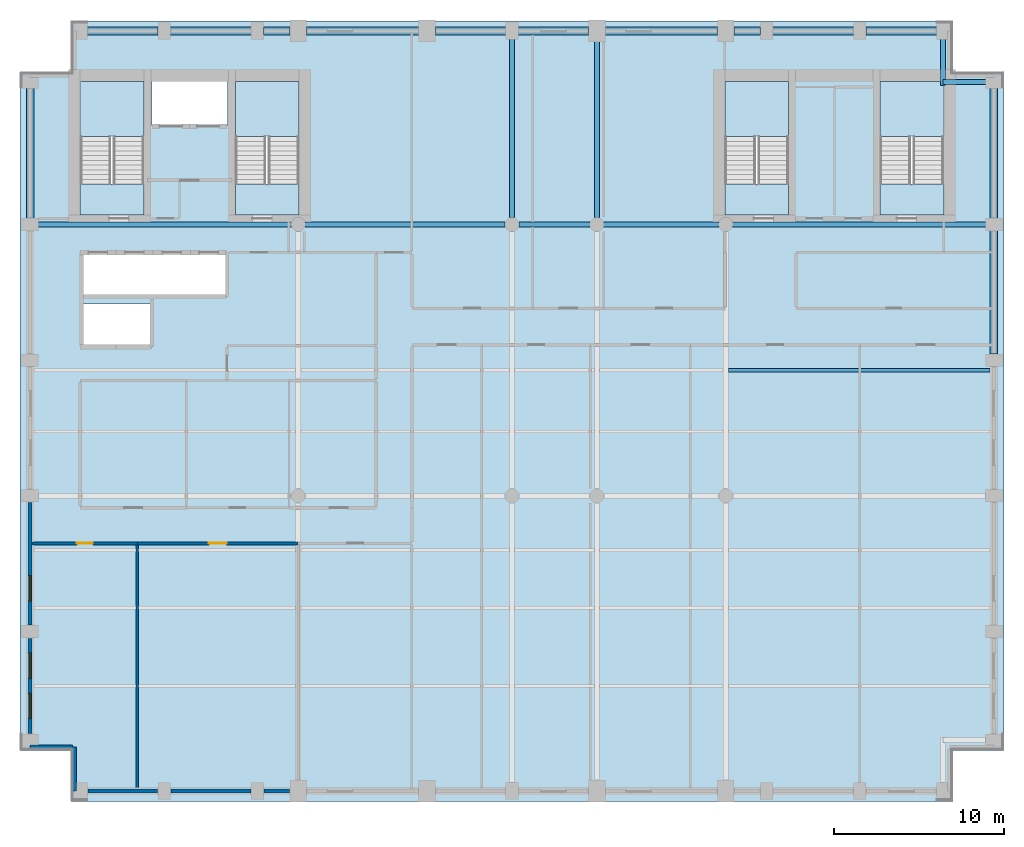
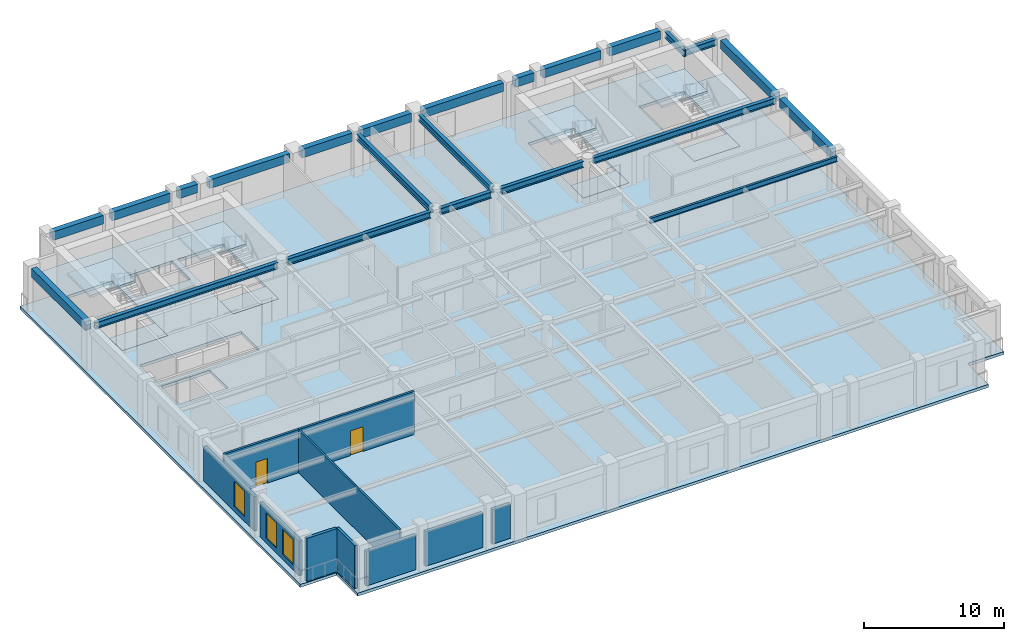
# One storey, part 2 of 9: 23 beams, 10 walls, 9 slabs, 3 windows, 2 doors, 5 openings, 4 elements without a shape of their own.
"""IFC4 building model written with IfcOpenShell, lengths in metres."""

from ifc_helpers import new_model, si_unit, direction, frame, frame_2d, origin, origin_2d, place, context, subcontext, project, spatial, polyline, rectangle, i_section, outline, extrude, material, layer, layer_set, material_profile, profile_set, type_object, element, fill, aggregate, save


model = new_model("IFC4")

# Units and contexts
model_context = context("Model", 3, precision=1e-05, world=origin(), true_north=direction((0.0, 1.0)))
body_context = subcontext(model_context, "Body", "Model", "MODEL_VIEW")
ifc_project = project(units=[si_unit("LENGTHUNIT", "METRE"), si_unit("AREAUNIT", "SQUARE_METRE"), si_unit("VOLUMEUNIT", "CUBIC_METRE"), si_unit("PLANEANGLEUNIT", "RADIAN"), si_unit("MASSUNIT", "GRAM", prefix="KILO")], contexts=[model_context])

# Site, building, storey
site_placement = place(None, origin())
site = spatial("IfcSite", under=ifc_project, at=site_placement, CompositionType="ELEMENT")
building_placement = place(site_placement, origin())
building = spatial("IfcBuilding", under=site, at=building_placement, Name="Sulina Concourse Tower", CompositionType="ELEMENT")
storey_placement = place(building_placement, frame((0.0, 0.0, 268.60009765625)))
storey = spatial("IfcBuildingStorey", under=building, at=storey_placement, Name="L65", CompositionType="ELEMENT", Elevation=268.60009765625)

# Beams
ifc_material_1 = material(Name="Steel S355", Category="steel")
ifc_material_profile_1 = material_profile(ifc_material_1, i_section(OverallWidth=0.18994140625, OverallDepth=0.449951171875, WebThickness=0.009521484375, FlangeThickness=0.0146484375, at=origin_2d()), Name="IPE 450")
ifc_profile_set_1 = profile_set([ifc_material_profile_1], Name="Steel S355")
beam_type_1 = type_object("IfcBeamType", Name="Composite Floor Joist IPE450", PredefinedType="JOIST", material=ifc_profile_set_1)
beam_1_placement = place(storey_placement, frame((41.75, 25.39990234375, 3.52490234375), z_axis=(1.0, 0.0, 0.0), x_axis=(0.0, 1.0, 0.0)))
element("IfcBeam", 1, at=beam_1_placement, inside=storey, type_object=beam_type_1, Name="FJ-J25-5-L65", PredefinedType="JOIST", context=body_context, shape_type="SweptSolid", body=[
    extrude(i_section(OverallWidth=0.18994140625, OverallDepth=0.449951171875, WebThickness=0.009521484375, FlangeThickness=0.0146484375, at=origin_2d()), origin(), (0.0, 0.0, 1.0), 15.425048828125),
])
ifc_material_2 = material(Name="Steel S355", Category="steel")
ifc_material_profile_2 = material_profile(ifc_material_2, i_section(OverallWidth=0.300048828125, OverallDepth=0.550048828125, WebThickness=0.014892578125, FlangeThickness=0.029052734375, at=origin_2d()), Name="HE 550 B")
ifc_profile_set_2 = profile_set([ifc_material_profile_2], Name="Steel S355")
beam_type_2 = type_object("IfcBeamType", Name="Floor Primary Girder Zone 4 HE550B", PredefinedType="BEAM", material=ifc_profile_set_2)
beam_2_placement = place(storey_placement, frame((54.39990234375, 42.39990234375, 3.474853515625), z_axis=(1.0, 0.0, 0.0), x_axis=(0.0, 1.0, 0.0)))
element("IfcBeam", 2, at=beam_2_placement, inside=storey, type_object=beam_type_2, Name="TIE-NE-L65", PredefinedType="BEAM", context=body_context, shape_type="SweptSolid", body=[
    extrude(i_section(OverallWidth=0.300048828125, OverallDepth=0.550048828125, WebThickness=0.014892578125, FlangeThickness=0.029052734375, at=origin_2d()), origin(), (0.0, 0.0, 1.0), 2.64501953125),
])
beam_3_placement = place(storey_placement, frame((54.39990234375, 42.199951171875, 3.474853515625), z_axis=(0.0, 1.0, 0.0), x_axis=(-1.0, 0.0, 0.0)))
element("IfcBeam", 3, at=beam_3_placement, inside=storey, type_object=beam_type_2, Name="TIE-NEN-L65", PredefinedType="BEAM", context=body_context, shape_type="SweptSolid", body=[
    extrude(i_section(OverallWidth=0.300048828125, OverallDepth=0.550048828125, WebThickness=0.014892578125, FlangeThickness=0.029052734375, at=origin_2d()), origin(), (0.0, 0.0, 1.0), 2.844970703125),
])
beam_4_placement = place(storey_placement, frame((0.955078125, 34.0, 3.474853515625), z_axis=(1.0, 0.0, 0.0), x_axis=(0.0, 1.0, 0.0)))
element("IfcBeam", 4, at=beam_4_placement, inside=storey, type_object=beam_type_2, Name="FG-EWN1-L65", PredefinedType="BEAM", context=body_context, shape_type="SweptSolid", body=[
    extrude(i_section(OverallWidth=0.300048828125, OverallDepth=0.550048828125, WebThickness=0.014892578125, FlangeThickness=0.029052734375, at=origin_2d()), origin(), (0.0, 0.0, 1.0), 15.0400390625),
])
beam_5_placement = place(storey_placement, frame((16.804931640625, 34.0, 3.474853515625), z_axis=(1.0, 0.0, 0.0), x_axis=(0.0, 1.0, 0.0)))
element("IfcBeam", 5, at=beam_5_placement, inside=storey, type_object=beam_type_2, Name="FG-EWN2-L65", PredefinedType="BEAM", context=body_context, shape_type="SweptSolid", body=[
    extrude(i_section(OverallWidth=0.300048828125, OverallDepth=0.550048828125, WebThickness=0.014892578125, FlangeThickness=0.029052734375, at=origin_2d()), origin(), (0.0, 0.0, 1.0), 11.7900390625),
])
beam_6_placement = place(storey_placement, frame((29.405029296875, 34.0, 3.474853515625), z_axis=(1.0, 0.0, 0.0), x_axis=(0.0, 1.0, 0.0)))
element("IfcBeam", 6, at=beam_6_placement, inside=storey, type_object=beam_type_2, Name="FG-EWN3-L65", PredefinedType="BEAM", context=body_context, shape_type="SweptSolid", body=[
    extrude(i_section(OverallWidth=0.300048828125, OverallDepth=0.550048828125, WebThickness=0.014892578125, FlangeThickness=0.029052734375, at=origin_2d()), origin(), (0.0, 0.0, 1.0), 4.18994140625),
])
beam_7_placement = place(storey_placement, frame((34.405029296875, 34.0, 3.474853515625), z_axis=(1.0, 0.0, 0.0), x_axis=(0.0, 1.0, 0.0)))
element("IfcBeam", 7, at=beam_7_placement, inside=storey, type_object=beam_type_2, Name="FG-EWN4-L65", PredefinedType="BEAM", context=body_context, shape_type="SweptSolid", body=[
    extrude(i_section(OverallWidth=0.300048828125, OverallDepth=0.550048828125, WebThickness=0.014892578125, FlangeThickness=0.029052734375, at=origin_2d()), origin(), (0.0, 0.0, 1.0), 6.7900390625),
])
beam_8_placement = place(storey_placement, frame((42.0048828125, 34.0, 3.474853515625), z_axis=(1.0, 0.0, 0.0), x_axis=(0.0, 1.0, 0.0)))
element("IfcBeam", 8, at=beam_8_placement, inside=storey, type_object=beam_type_2, Name="FG-EWN5-L65", PredefinedType="BEAM", context=body_context, shape_type="SweptSolid", body=[
    extrude(i_section(OverallWidth=0.300048828125, OverallDepth=0.550048828125, WebThickness=0.014892578125, FlangeThickness=0.029052734375, at=origin_2d()), origin(), (0.0, 0.0, 1.0), 15.0400390625),
])
beam_9_placement = place(storey_placement, frame((29.0, 34.405029296875, 3.474853515625), z_axis=(0.0, 1.0, 0.0), x_axis=(-1.0, 0.0, 0.0)))
element("IfcBeam", 9, at=beam_9_placement, inside=storey, type_object=beam_type_2, Name="FG-NSC-29-L65", PredefinedType="BEAM", context=body_context, shape_type="SweptSolid", body=[
    extrude(i_section(OverallWidth=0.300048828125, OverallDepth=0.550048828125, WebThickness=0.014892578125, FlangeThickness=0.029052734375, at=origin_2d()), origin(), (0.0, 0.0, 1.0), 10.639892578125),
])
beam_10_placement = place(storey_placement, frame((34.0, 34.405029296875, 3.474853515625), z_axis=(0.0, 1.0, 0.0), x_axis=(-1.0, 0.0, 0.0)))
element("IfcBeam", 10, at=beam_10_placement, inside=storey, type_object=beam_type_2, Name="FG-NSC-34-L65", PredefinedType="BEAM", context=body_context, shape_type="SweptSolid", body=[
    extrude(i_section(OverallWidth=0.300048828125, OverallDepth=0.550048828125, WebThickness=0.014892578125, FlangeThickness=0.029052734375, at=origin_2d()), origin(), (0.0, 0.0, 1.0), 10.514892578125),
])
ifc_material_3 = material(Name="Precast concrete C50/60", Category="concrete")
ifc_material_profile_3 = material_profile(ifc_material_3, rectangle(XDim=0.449951171875, YDim=0.75, at=origin_2d()), Name="RC 450x750")
ifc_profile_set_3 = profile_set([ifc_material_profile_3], Name="Precast concrete C50/60")
beam_type_3 = type_object("IfcBeamType", Name="Upper Precast Spandrel Edge Beam 450x750", PredefinedType="BEAM", material=ifc_profile_set_3)
beam_11_placement = place(storey_placement, frame((3.955078125, 45.39990234375, 3.375), z_axis=(1.0, 0.0, 0.0), x_axis=(0.0, 1.0, 0.0)))
element("IfcBeam", 11, at=beam_11_placement, inside=storey, type_object=beam_type_3, Name="SP-N1-L65", PredefinedType="BEAM", context=body_context, shape_type="SweptSolid", body=[
    extrude(rectangle(XDim=0.449951171875, YDim=0.75, at=origin_2d()), origin(), (0.0, 0.0, 1.0), 4.18994140625),
])
beam_12_placement = place(storey_placement, frame((8.85498046875, 45.39990234375, 3.375), z_axis=(1.0, 0.0, 0.0), x_axis=(0.0, 1.0, 0.0)))
element("IfcBeam", 12, at=beam_12_placement, inside=storey, type_object=beam_type_3, Name="SP-N2-L65", PredefinedType="BEAM", context=body_context, shape_type="SweptSolid", body=[
    extrude(rectangle(XDim=0.449951171875, YDim=0.75, at=origin_2d()), origin(), (0.0, 0.0, 1.0), 4.7900390625),
])
beam_13_placement = place(storey_placement, frame((14.35498046875, 45.39990234375, 3.375), z_axis=(1.0, 0.0, 0.0), x_axis=(0.0, 1.0, 0.0)))
element("IfcBeam", 13, at=beam_13_placement, inside=storey, type_object=beam_type_3, Name="SP-N3-L65", PredefinedType="BEAM", context=body_context, shape_type="SweptSolid", body=[
    extrude(rectangle(XDim=0.449951171875, YDim=0.75, at=origin_2d()), origin(), (0.0, 0.0, 1.0), 1.56494140625),
])
beam_14_placement = place(storey_placement, frame((16.8798828125, 45.39990234375, 3.375), z_axis=(1.0, 0.0, 0.0), x_axis=(0.0, 1.0, 0.0)))
element("IfcBeam", 14, at=beam_14_placement, inside=storey, type_object=beam_type_3, Name="SP-N4-L65", PredefinedType="BEAM", context=body_context, shape_type="SweptSolid", body=[
    extrude(rectangle(XDim=0.449951171875, YDim=0.75, at=origin_2d()), origin(), (0.0, 0.0, 1.0), 6.64013671875),
])
for number, where, z_axis, x_axis, name in (
    (15, (24.47998046875, 45.39990234375, 3.375), (1.0, 0.0, 0.0), (0.0, 1.0, 0.0), "SP-N5-L65"),
    (16, (29.35498046875, 45.39990234375, 3.375), (1.0, 0.0, 0.0), (0.0, 1.0, 0.0), "SP-N6-L65"),
):
    element("IfcBeam", number, at=place(storey_placement, frame(where, z_axis=z_axis, x_axis=x_axis)), inside=storey, type_object=beam_type_3, Name=name, PredefinedType="BEAM", context=body_context, shape_type="SweptSolid", body=[
        extrude(rectangle(XDim=0.449951171875, YDim=0.75, at=origin_2d()), origin(), (0.0, 0.0, 1.0), 4.1650390625),
    ])
beam_15_placement = place(storey_placement, frame((34.47998046875, 45.39990234375, 3.375), z_axis=(1.0, 0.0, 0.0), x_axis=(0.0, 1.0, 0.0)))
element("IfcBeam", 17, at=beam_15_placement, inside=storey, type_object=beam_type_3, Name="SP-N7-L65", PredefinedType="BEAM", context=body_context, shape_type="SweptSolid", body=[
    extrude(rectangle(XDim=0.449951171875, YDim=0.75, at=origin_2d()), origin(), (0.0, 0.0, 1.0), 6.64013671875),
])
beam_16_placement = place(storey_placement, frame((42.080078125, 45.39990234375, 3.375), z_axis=(1.0, 0.0, 0.0), x_axis=(0.0, 1.0, 0.0)))
element("IfcBeam", 18, at=beam_16_placement, inside=storey, type_object=beam_type_3, Name="SP-N8-L65", PredefinedType="BEAM", context=body_context, shape_type="SweptSolid", body=[
    extrude(rectangle(XDim=0.449951171875, YDim=0.75, at=origin_2d()), origin(), (0.0, 0.0, 1.0), 1.56494140625),
])
beam_17_placement = place(storey_placement, frame((44.35498046875, 45.39990234375, 3.375), z_axis=(1.0, 0.0, 0.0), x_axis=(0.0, 1.0, 0.0)))
element("IfcBeam", 19, at=beam_17_placement, inside=storey, type_object=beam_type_3, Name="SP-N9-L65", PredefinedType="BEAM", context=body_context, shape_type="SweptSolid", body=[
    extrude(rectangle(XDim=0.449951171875, YDim=0.75, at=origin_2d()), origin(), (0.0, 0.0, 1.0), 4.7900390625),
])
beam_18_placement = place(storey_placement, frame((49.85498046875, 45.39990234375, 3.375), z_axis=(1.0, 0.0, 0.0), x_axis=(0.0, 1.0, 0.0)))
element("IfcBeam", 20, at=beam_18_placement, inside=storey, type_object=beam_type_3, Name="SP-N10-L65", PredefinedType="BEAM", context=body_context, shape_type="SweptSolid", body=[
    extrude(rectangle(XDim=0.449951171875, YDim=0.75, at=origin_2d()), origin(), (0.0, 0.0, 1.0), 4.18994140625),
])
beam_19_placement = place(storey_placement, frame((0.60009765625, 34.35498046875, 3.375), z_axis=(0.0, 1.0, 0.0), x_axis=(-1.0, 0.0, 0.0)))
element("IfcBeam", 21, at=beam_19_placement, inside=storey, type_object=beam_type_3, Name="SP-W5-L65", PredefinedType="BEAM", context=body_context, shape_type="SweptSolid", body=[
    extrude(rectangle(XDim=0.449951171875, YDim=0.75, at=origin_2d()), origin(), (0.0, 0.0, 1.0), 7.68994140625),
])
beam_20_placement = place(storey_placement, frame((57.39990234375, 26.35498046875, 3.375), z_axis=(0.0, 1.0, 0.0), x_axis=(-1.0, 0.0, 0.0)))
element("IfcBeam", 22, at=beam_20_placement, inside=storey, type_object=beam_type_3, Name="SP-E4-L65", PredefinedType="BEAM", context=body_context, shape_type="SweptSolid", body=[
    extrude(rectangle(XDim=0.449951171875, YDim=0.75, at=origin_2d()), origin(), (0.0, 0.0, 1.0), 7.2900390625),
])
beam_21_placement = place(storey_placement, frame((57.39990234375, 34.35498046875, 3.375), z_axis=(0.0, 1.0, 0.0), x_axis=(-1.0, 0.0, 0.0)))
element("IfcBeam", 23, at=beam_21_placement, inside=storey, type_object=beam_type_3, Name="SP-E5-L65", PredefinedType="BEAM", context=body_context, shape_type="SweptSolid", body=[
    extrude(rectangle(XDim=0.449951171875, YDim=0.75, at=origin_2d()), origin(), (0.0, 0.0, 1.0), 7.68994140625),
])

# Slabs
ifc_material_4 = material(Name="Concrete C50/60", Category="concrete")
ifc_layer_1 = layer(ifc_material_4, 0.25)
ifc_layer_set_1 = layer_set([ifc_layer_1], Name="Concrete C50/60")
slab_type_1 = type_object("IfcSlabType", Name="High-Rise Composite Floor Slab 250mm", PredefinedType="FLOOR", material=ifc_layer_set_1)
slab_1_placement = place(storey_placement, frame((0.0, 0.0, -0.25)))
element("IfcSlab", 24, at=slab_1_placement, inside=storey, type_object=slab_type_1, Name="L65 structural floor slab", PredefinedType="FLOOR", context=body_context, shape_type="SweptSolid", body=[
    extrude(outline(polyline([(3.0, 0.0), (55.0, 0.0), (55.0, 3.0), (58.0, 3.0), (58.0, 43.0), (55.0, 43.0), (55.0, 46.0), (3.0, 46.0), (3.0, 43.0), (0.0, 43.0), (0.0, 3.0), (3.0, 3.0), (3.0, 0.0)]), holes=[polyline([(7.31005859375, 34.550048828125), (7.31005859375, 42.429931640625), (3.550048828125, 42.429931640625), (3.550048828125, 34.550048828125), (7.31005859375, 34.550048828125)]), polyline([(16.449951171875, 34.550048828125), (16.449951171875, 42.429931640625), (12.68994140625, 42.429931640625), (12.68994140625, 34.550048828125), (16.449951171875, 34.550048828125)]), polyline([(45.31005859375, 34.550048828125), (45.31005859375, 42.429931640625), (41.550048828125, 42.429931640625), (41.550048828125, 34.550048828125), (45.31005859375, 34.550048828125)]), polyline([(54.449951171875, 34.550048828125), (54.449951171875, 42.429931640625), (50.68994140625, 42.429931640625), (50.68994140625, 34.550048828125), (54.449951171875, 34.550048828125)]), polyline([(7.780029296875, 39.830078125), (12.219970703125, 39.830078125), (12.219970703125, 42.449951171875), (7.780029296875, 42.449951171875), (7.780029296875, 39.830078125)]), polyline([(3.739990234375, 26.780029296875), (7.77001953125, 26.780029296875), (7.77001953125, 29.320068359375), (3.739990234375, 29.320068359375), (3.739990234375, 26.780029296875)]), polyline([(3.739990234375, 29.780029296875), (12.10009765625, 29.780029296875), (12.10009765625, 32.3701171875), (3.739990234375, 32.3701171875), (3.739990234375, 29.780029296875)])]), origin(), (0.0, 0.0, 1.0), 0.25),
])
ifc_material_5 = material(Name="Concrete C50/60", Category="concrete")
ifc_layer_2 = layer(ifc_material_5, 0.199951171875)
ifc_layer_set_2 = layer_set([ifc_layer_2], Name="Concrete C50/60")
slab_type_2 = type_object("IfcSlabType", Name="Primary Core Stair Landing Slab 200mm", PredefinedType="LANDING", material=ifc_layer_set_2)
slab_2_placement = place(storey_placement, frame((0.0, 0.0, -0.2001953125)))
element("IfcSlab", 25, at=slab_2_placement, inside=storey, type_object=slab_type_2, Name="L65 ST-1 floor landing slab", PredefinedType="LANDING", context=body_context, shape_type="SweptSolid", body=[
    extrude(outline(polyline([(7.31005859375, 34.550048828125), (7.31005859375, 36.375), (3.550048828125, 36.375), (3.550048828125, 34.550048828125), (7.31005859375, 34.550048828125)])), origin(), (0.0, 0.0, 1.0), 0.2001953125),
])
slab_3_placement = place(storey_placement, frame((0.0, 0.0, -0.2001953125)))
element("IfcSlab", 26, at=slab_3_placement, inside=storey, type_object=slab_type_2, Name="L65 ST-2 floor landing slab", PredefinedType="LANDING", context=body_context, shape_type="SweptSolid", body=[
    extrude(outline(polyline([(16.449951171875, 34.550048828125), (16.449951171875, 36.375), (12.68994140625, 36.375), (12.68994140625, 34.550048828125), (16.449951171875, 34.550048828125)])), origin(), (0.0, 0.0, 1.0), 0.2001953125),
])
slab_4_placement = place(storey_placement, frame((0.0, 0.0, -0.2001953125)))
element("IfcSlab", 27, at=slab_4_placement, inside=storey, type_object=slab_type_2, Name="L65 ST-3 floor landing slab", PredefinedType="LANDING", context=body_context, shape_type="SweptSolid", body=[
    extrude(outline(polyline([(45.31005859375, 34.550048828125), (45.31005859375, 36.375), (41.550048828125, 36.375), (41.550048828125, 34.550048828125), (45.31005859375, 34.550048828125)])), origin(), (0.0, 0.0, 1.0), 0.2001953125),
])
slab_5_placement = place(storey_placement, frame((0.0, 0.0, -0.2001953125)))
element("IfcSlab", 28, at=slab_5_placement, inside=storey, type_object=slab_type_2, Name="L65 ST-4 floor landing slab", PredefinedType="LANDING", context=body_context, shape_type="SweptSolid", body=[
    extrude(outline(polyline([(54.449951171875, 34.550048828125), (54.449951171875, 36.375), (50.68994140625, 36.375), (50.68994140625, 34.550048828125), (54.449951171875, 34.550048828125)])), origin(), (0.0, 0.0, 1.0), 0.2001953125),
])

# Stair, slab
ifc_material_6 = material(Name="Concrete C50/60", Category="concrete")
stair_type_1 = type_object("IfcStairType", Name="Primary Core Dog-Leg Exit Stair 1800mm", PredefinedType="HALF_TURN_STAIR", material=ifc_material_6)
stair_1_placement = place(storey_placement, origin())
stair_1 = element("IfcStair", 29, at=stair_1_placement, inside=storey, type_object=stair_type_1, Name="L65 ST-1", PredefinedType="HALF_TURN_STAIR")
slab_6_placement = place(storey_placement, frame((0.0, 0.0, 1.7998046875)))
slab_6 = element("IfcSlab", 30, at=slab_6_placement, type_object=slab_type_2, Name="ST-1 landing 1", PredefinedType="LANDING", context=body_context, shape_type="SweptSolid", body=[
    extrude(outline(polyline([(7.304931640625, 39.175048828125), (7.304931640625, 42.425048828125), (3.554931640625, 42.425048828125), (3.554931640625, 39.175048828125), (7.304931640625, 39.175048828125)])), origin(), (0.0, 0.0, 1.0), 0.2001953125),
])
aggregate(stair_1, [slab_6])

stair_2_placement = place(storey_placement, origin())
stair_2 = element("IfcStair", 31, at=stair_2_placement, inside=storey, type_object=stair_type_1, Name="L65 ST-2", PredefinedType="HALF_TURN_STAIR")
slab_7_placement = place(storey_placement, frame((0.0, 0.0, 1.7998046875)))
slab_7 = element("IfcSlab", 32, at=slab_7_placement, type_object=slab_type_2, Name="ST-2 landing 1", PredefinedType="LANDING", context=body_context, shape_type="SweptSolid", body=[
    extrude(outline(polyline([(16.445068359375, 39.175048828125), (16.445068359375, 42.425048828125), (12.695068359375, 42.425048828125), (12.695068359375, 39.175048828125), (16.445068359375, 39.175048828125)])), origin(), (0.0, 0.0, 1.0), 0.2001953125),
])
aggregate(stair_2, [slab_7])

ifc_material_7 = material(Name="Concrete C50/60", Category="concrete")
stair_type_2 = type_object("IfcStairType", Name="Portal & Podium Core Exit Stair 1820mm", PredefinedType="HALF_TURN_STAIR", material=ifc_material_7)
stair_3_placement = place(storey_placement, origin())
stair_3 = element("IfcStair", 33, at=stair_3_placement, inside=storey, type_object=stair_type_2, Name="L65 ST-3", PredefinedType="HALF_TURN_STAIR")
slab_8_placement = place(storey_placement, frame((0.0, 0.0, 1.7998046875)))
slab_8 = element("IfcSlab", 34, at=slab_8_placement, type_object=slab_type_2, Name="ST-3 landing 1", PredefinedType="LANDING", context=body_context, shape_type="SweptSolid", body=[
    extrude(outline(polyline([(45.304931640625, 39.175048828125), (45.304931640625, 42.425048828125), (41.554931640625, 42.425048828125), (41.554931640625, 39.175048828125), (45.304931640625, 39.175048828125)])), origin(), (0.0, 0.0, 1.0), 0.2001953125),
])
aggregate(stair_3, [slab_8])

stair_4_placement = place(storey_placement, origin())
stair_4 = element("IfcStair", 35, at=stair_4_placement, inside=storey, type_object=stair_type_2, Name="L65 ST-4", PredefinedType="HALF_TURN_STAIR")
slab_9_placement = place(storey_placement, frame((0.0, 0.0, 1.7998046875)))
slab_9 = element("IfcSlab", 36, at=slab_9_placement, type_object=slab_type_2, Name="ST-4 landing 1", PredefinedType="LANDING", context=body_context, shape_type="SweptSolid", body=[
    extrude(outline(polyline([(54.445068359375, 39.175048828125), (54.445068359375, 42.425048828125), (50.695068359375, 42.425048828125), (50.695068359375, 39.175048828125), (54.445068359375, 39.175048828125)])), origin(), (0.0, 0.0, 1.0), 0.2001953125),
])
aggregate(stair_4, [slab_9])

# Walls
ifc_material_8 = material(Name="Precast concrete C50/60", Category="concrete")
ifc_layer_3 = layer(ifc_material_8, 0.239990234375)
ifc_layer_set_3 = layer_set([ifc_layer_3], Name="Precast concrete C50/60")
wall_type_1 = type_object("IfcWallType", Name="Crown Precast Masonry-Frame Facade Wall 240mm", PredefinedType="SOLIDWALL", material=ifc_layer_set_3)
wall_1_placement = place(storey_placement, frame((8.10498046875, 0.60009765625, 0.0), z_axis=(0.0, 0.0, 1.0), x_axis=(-1.0, 0.0, 0.0)))
element("IfcWall", 37, at=wall_1_placement, inside=storey, type_object=wall_type_1, Name="L65 exterior precast wall S1", PredefinedType="SOLIDWALL", context=body_context, shape_type="SweptSolid", body=[
    extrude(rectangle(XDim=4.10986328125, YDim=0.239990234375, at=frame_2d((2.054931640625, 0.0))), origin(), (0.0, 0.0, 1.0), 3.0),
])
wall_2_placement = place(storey_placement, frame((13.60498046875, 0.60009765625, 0.0), z_axis=(0.0, 0.0, 1.0), x_axis=(-1.0, 0.0, 0.0)))
element("IfcWall", 38, at=wall_2_placement, inside=storey, type_object=wall_type_1, Name="L65 exterior precast wall S2", PredefinedType="SOLIDWALL", context=body_context, shape_type="SweptSolid", body=[
    extrude(rectangle(XDim=4.7099609375, YDim=0.239990234375, at=frame_2d((2.35498046875, 0.0))), origin(), (0.0, 0.0, 1.0), 3.0),
])
wall_3_placement = place(storey_placement, frame((15.8798828125, 0.60009765625, 0.0), z_axis=(0.0, 0.0, 1.0), x_axis=(-1.0, 0.0, 0.0)))
element("IfcWall", 39, at=wall_3_placement, inside=storey, type_object=wall_type_1, Name="L65 exterior precast wall S3", PredefinedType="SOLIDWALL", context=body_context, shape_type="SweptSolid", body=[
    extrude(rectangle(XDim=1.48486328125, YDim=0.239990234375, at=frame_2d((0.742431640625, 0.0))), origin(), (0.0, 0.0, 1.0), 3.0),
])

# Wall, openings, windows
wall_4_placement = place(storey_placement, frame((0.60009765625, 3.9951171875, 0.0), z_axis=(0.0, 0.0, 1.0), x_axis=(0.0, 1.0, 0.0)))
wall_4 = element("IfcWall", 40, at=wall_4_placement, inside=storey, type_object=wall_type_1, Name="L65 exterior precast wall W1", PredefinedType="SOLIDWALL", context=body_context, shape_type="SweptSolid", body=[
    extrude(rectangle(XDim=5.60986328125, YDim=0.239990234375, at=frame_2d((2.804931640625, 0.0))), origin(), (0.0, 0.0, 1.0), 3.0),
])
opening_1_placement = place(wall_4_placement, frame((0.8701171875, 0.0, 0.419921875)))
opening_1 = element("IfcOpeningElement", 41, at=opening_1_placement, cuts=wall_4, Name="Opening WN-71", PredefinedType="OPENING", context=body_context, shape_type="SweptSolid", body=[
    extrude(rectangle(XDim=1.5, YDim=2.199951171875, at=frame_2d((0.75, 1.10009765625))), frame((0.0, 0.1298828125, 0.0), z_axis=(0.0, -1.0, 0.0), x_axis=(1.0, 0.0, 0.0)), (0.0, 0.0, 1.0), 0.260009765625),
])
opening_2_placement = place(wall_4_placement, frame((3.239990234375, 0.0, 0.419921875)))
opening_2 = element("IfcOpeningElement", 42, at=opening_2_placement, cuts=wall_4, Name="Opening WN-71", PredefinedType="OPENING", context=body_context, shape_type="SweptSolid", body=[
    extrude(rectangle(XDim=1.5, YDim=2.199951171875, at=frame_2d((0.75, 1.10009765625))), frame((0.0, 0.1298828125, 0.0), z_axis=(0.0, -1.0, 0.0), x_axis=(1.0, 0.0, 0.0)), (0.0, 0.0, 1.0), 0.260009765625),
])
ifc_material_9 = material(Name="Low-E solar double glazing in bronze aluminium", Category="aluminium")
window_type = type_object("IfcWindowType", Name="Punched Masonry-Frame Window 1500x2200", PartitioningType="SINGLE_PANEL", PredefinedType="WINDOW", material=ifc_material_9)
window_1_placement = place(opening_1_placement, origin())
window_1 = element("IfcWindow", 43, at=window_1_placement, inside=storey, type_object=window_type, Name="L65 punched window W1-1", OverallHeight=2.199951171875, OverallWidth=1.5, PartitioningType="SINGLE_PANEL", PredefinedType="WINDOW", context=body_context, shape_type="SweptSolid", body=[
    extrude(rectangle(XDim=1.5, YDim=2.199951171875, at=frame_2d((0.75, 1.10009765625))), frame((0.0, 0.030029296875, 0.0), z_axis=(0.0, -1.0, 0.0), x_axis=(1.0, 0.0, 0.0)), (0.0, 0.0, 1.0), 0.06005859375),
])
fill(opening_1, window_1)
window_2_placement = place(opening_2_placement, origin())
window_2 = element("IfcWindow", 44, at=window_2_placement, inside=storey, type_object=window_type, Name="L65 punched window W1-2", OverallHeight=2.199951171875, OverallWidth=1.5, PartitioningType="SINGLE_PANEL", PredefinedType="WINDOW", context=body_context, shape_type="SweptSolid", body=[
    extrude(rectangle(XDim=1.5, YDim=2.199951171875, at=frame_2d((0.75, 1.10009765625))), frame((0.0, 0.030029296875, 0.0), z_axis=(0.0, -1.0, 0.0), x_axis=(1.0, 0.0, 0.0)), (0.0, 0.0, 1.0), 0.06005859375),
])
fill(opening_2, window_2)

# Wall, opening, window
wall_5_placement = place(storey_placement, frame((0.60009765625, 10.39501953125, 0.0), z_axis=(0.0, 0.0, 1.0), x_axis=(0.0, 1.0, 0.0)))
wall_5 = element("IfcWall", 45, at=wall_5_placement, inside=storey, type_object=wall_type_1, Name="L65 exterior precast wall W2", PredefinedType="SOLIDWALL", context=body_context, shape_type="SweptSolid", body=[
    extrude(rectangle(XDim=7.2099609375, YDim=0.239990234375, at=frame_2d((3.60498046875, 0.0))), origin(), (0.0, 0.0, 1.0), 3.0),
])
opening_3_placement = place(wall_5_placement, frame((1.4033203125, 0.0, 0.419921875)))
opening_3 = element("IfcOpeningElement", 46, at=opening_3_placement, cuts=wall_5, Name="Opening WN-71", PredefinedType="OPENING", context=body_context, shape_type="SweptSolid", body=[
    extrude(rectangle(XDim=1.5, YDim=2.199951171875, at=frame_2d((0.75, 1.10009765625))), frame((0.0, 0.1298828125, 0.0), z_axis=(0.0, -1.0, 0.0), x_axis=(1.0, 0.0, 0.0)), (0.0, 0.0, 1.0), 0.260009765625),
])
window_3_placement = place(opening_3_placement, origin())
window_3 = element("IfcWindow", 47, at=window_3_placement, inside=storey, type_object=window_type, Name="L65 punched window W2-1", OverallHeight=2.199951171875, OverallWidth=1.5, PartitioningType="SINGLE_PANEL", PredefinedType="WINDOW", context=body_context, shape_type="SweptSolid", body=[
    extrude(rectangle(XDim=1.5, YDim=2.199951171875, at=frame_2d((0.75, 1.10009765625))), frame((0.0, 0.030029296875, 0.0), z_axis=(0.0, -1.0, 0.0), x_axis=(1.0, 0.0, 0.0)), (0.0, 0.0, 1.0), 0.06005859375),
])
fill(opening_3, window_3)

# Walls
wall_6_placement = place(storey_placement, frame((3.205078125, 0.60009765625, 0.0), z_axis=(0.0, 0.0, 1.0), x_axis=(0.0, 1.0, 0.0)))
element("IfcWall", 48, at=wall_6_placement, inside=storey, type_object=wall_type_1, Name="L65 exterior precast wall CSW1", PredefinedType="SOLIDWALL", context=body_context, shape_type="SweptSolid", body=[
    extrude(rectangle(XDim=2.60498046875, YDim=0.239990234375, at=frame_2d((1.302490234375, 0.0))), origin(), (0.0, 0.0, 1.0), 3.75),
])
wall_7_placement = place(storey_placement, frame((3.080078125, 3.205078125, 0.0), z_axis=(0.0, 0.0, 1.0), x_axis=(-1.0, 0.0, 0.0)))
element("IfcWall", 49, at=wall_7_placement, inside=storey, type_object=wall_type_1, Name="L65 exterior precast wall CSW2", PredefinedType="SOLIDWALL", context=body_context, shape_type="SweptSolid", body=[
    extrude(rectangle(XDim=2.47998046875, YDim=0.239990234375, at=frame_2d((1.239990234375, 0.0))), origin(), (0.0, 0.0, 1.0), 3.75),
])
ifc_material_10 = material(Name="Gypsum board on steel stud", Category="steel")
ifc_layer_4 = layer(ifc_material_10, 0.14990234375)
ifc_layer_set_4 = layer_set([ifc_layer_4], Name="Gypsum board on steel stud")
wall_type_2 = type_object("IfcWallType", Name="Inter-Tenancy Acoustic Partition 150mm", PredefinedType="PARTITIONING", material=ifc_layer_set_4)
wall_8_placement = place(storey_placement, frame((6.919921875, 0.719970703125, 0.0), z_axis=(0.0, 0.0, 1.0), x_axis=(0.0, 1.0, 0.0)))
element("IfcWall", 50, at=wall_8_placement, inside=storey, type_object=wall_type_2, Name="L65 interior partition 032", PredefinedType="PARTITIONING", context=body_context, shape_type="SweptSolid", body=[
    extrude(rectangle(XDim=14.39013671875, YDim=0.14990234375, at=frame_2d((7.195068359375, 0.0))), origin(), (0.0, 0.0, 1.0), 3.75),
])

# Wall, opening, door
ifc_material_11 = material(Name="Gypsum board on steel stud", Category="steel")
ifc_layer_5 = layer(ifc_material_11, 0.179931640625)
ifc_layer_set_5 = layer_set([ifc_layer_5], Name="Gypsum board on steel stud")
wall_type_3 = type_object("IfcWallType", Name="Protected Corridor & Riser Partition 180mm", PredefinedType="PARTITIONING", material=ifc_layer_set_5)
wall_9_placement = place(storey_placement, frame((0.719970703125, 15.199951171875, 0.0), z_axis=(0.0, 0.0, 1.0), x_axis=(1.0, 0.0, 0.0)))
wall_9 = element("IfcWall", 51, at=wall_9_placement, inside=storey, type_object=wall_type_3, Name="L65 interior partition 001", PredefinedType="PARTITIONING", context=body_context, shape_type="SweptSolid", body=[
    extrude(rectangle(XDim=6.199951171875, YDim=0.179931640625, at=frame_2d((3.10009765625, 0.0))), origin(), (0.0, 0.0, 1.0), 3.75),
])
opening_4_placement = place(wall_9_placement, frame((2.625, 0.0, 0.0)))
opening_4 = element("IfcOpeningElement", 52, at=opening_4_placement, cuts=wall_9, Name="Opening DR-19", PredefinedType="OPENING", context=body_context, shape_type="SweptSolid", body=[
    extrude(rectangle(XDim=0.949951171875, YDim=2.14990234375, at=frame_2d((0.47509765625, 1.074951171875))), frame((0.0, 0.099853515625, 0.0), z_axis=(0.0, -1.0, 0.0), x_axis=(1.0, 0.0, 0.0)), (0.0, 0.0, 1.0), 0.199951171875),
])
ifc_material_12 = material(Name="Oak-veneered acoustic timber leaf", Category="wood")
ifc_layer_6 = layer(ifc_material_12, 0.050048828125)
ifc_layer_set_6 = layer_set([ifc_layer_6], Name="Oak-veneered acoustic timber leaf")
door_type_1 = type_object("IfcDoorType", Name="Cellular Office & Meeting Door 950x2150", OperationType="NOTDEFINED", PredefinedType="DOOR", material=ifc_layer_set_6)
door_1_placement = place(opening_4_placement, origin())
door_1 = element("IfcDoor", 53, at=door_1_placement, inside=storey, type_object=door_type_1, Name="L65 interior door L65-S01", OperationType="SINGLE_SWING_LEFT", OverallHeight=2.14990234375, OverallWidth=0.949951171875, PredefinedType="DOOR", context=body_context, shape_type="SweptSolid", body=[
    extrude(rectangle(XDim=0.949951171875, YDim=2.14990234375, at=frame_2d((0.47509765625, 1.074951171875))), frame((0.0, 0.02490234375, 0.0), z_axis=(0.0, -1.0, 0.0), x_axis=(1.0, 0.0, 0.0)), (0.0, 0.0, 1.0), 0.050048828125),
])
fill(opening_4, door_1)

wall_10_placement = place(storey_placement, frame((6.919921875, 15.199951171875, 0.0), z_axis=(0.0, 0.0, 1.0), x_axis=(1.0, 0.0, 0.0)))
wall_10 = element("IfcWall", 54, at=wall_10_placement, inside=storey, type_object=wall_type_3, Name="L65 interior partition 002", PredefinedType="PARTITIONING", context=body_context, shape_type="SweptSolid", body=[
    extrude(rectangle(XDim=9.47998046875, YDim=0.179931640625, at=frame_2d((4.739990234375, 0.0))), origin(), (0.0, 0.0, 1.0), 3.75),
])
opening_5_placement = place(wall_10_placement, frame((4.215087890625, 0.0, 0.0)))
opening_5 = element("IfcOpeningElement", 55, at=opening_5_placement, cuts=wall_10, Name="Opening DR-37", PredefinedType="OPENING", context=body_context, shape_type="SweptSolid", body=[
    extrude(rectangle(XDim=1.050048828125, YDim=2.14990234375, at=frame_2d((0.52490234375, 1.074951171875))), frame((0.0, 0.099853515625, 0.0), z_axis=(0.0, -1.0, 0.0), x_axis=(1.0, 0.0, 0.0)), (0.0, 0.0, 1.0), 0.199951171875),
])
ifc_material_13 = material(Name="Oak-veneered fire door leaf")
ifc_layer_7 = layer(ifc_material_13, 0.050048828125)
ifc_layer_set_7 = layer_set([ifc_layer_7], Name="Oak-veneered fire door leaf")
door_type_2 = type_object("IfcDoorType", Name="Tenant Suite Entrance Fire Door 1050x2150", OperationType="NOTDEFINED", PredefinedType="DOOR", material=ifc_layer_set_7)
door_2_placement = place(opening_5_placement, origin())
door_2 = element("IfcDoor", 56, at=door_2_placement, inside=storey, type_object=door_type_2, Name="L65 interior door L65-S02", OperationType="SINGLE_SWING_RIGHT", OverallHeight=2.14990234375, OverallWidth=1.050048828125, PredefinedType="DOOR", context=body_context, shape_type="SweptSolid", body=[
    extrude(rectangle(XDim=1.050048828125, YDim=2.14990234375, at=frame_2d((0.52490234375, 1.074951171875))), frame((0.0, 0.02490234375, 0.0), z_axis=(0.0, -1.0, 0.0), x_axis=(1.0, 0.0, 0.0)), (0.0, 0.0, 1.0), 0.050048828125),
])
fill(opening_5, door_2)

save(model, "model.ifc")
